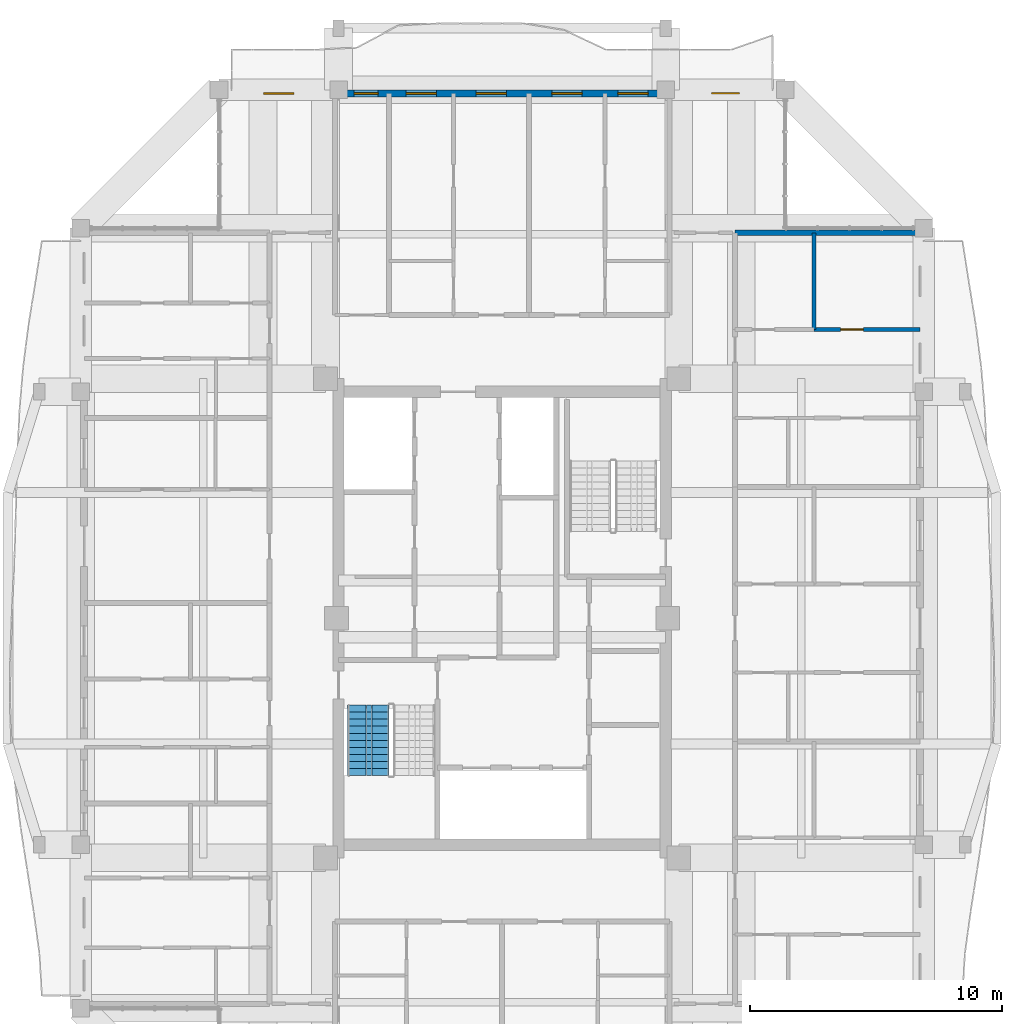
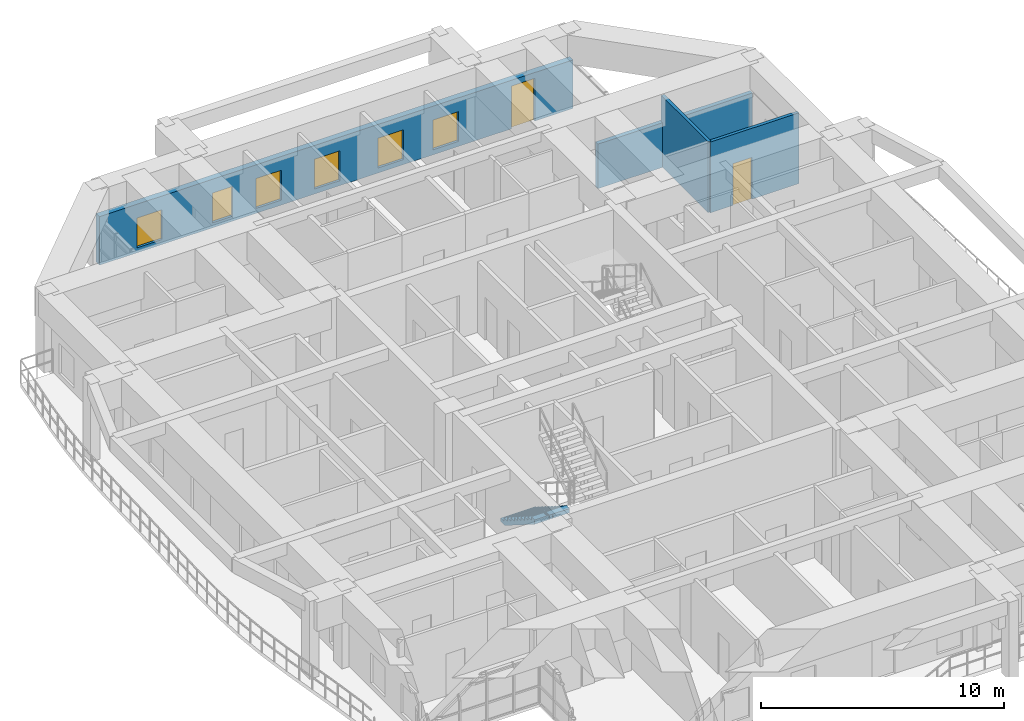
# One storey, part 21 of 27: 6 windows, 4 walls, 2 doors, 1 stair flight, 8 openings, 1 element without a shape of its own.
"""IFC4 building model written with IfcOpenShell, lengths in metres."""

from ifc_helpers import new_model, si_unit, direction, frame, frame_2d, origin, place, context, subcontext, project, spatial, polyline, rectangle, outline, extrude, source, transform, mapped, material, layer, layer_set, type_object, element, fill, aggregate, save


model = new_model("IFC4")

# Units and contexts
model_context = context("Model", 3, precision=1e-05, world=origin(), true_north=direction((0.0, 1.0)))
body_context = subcontext(model_context, "Body", "Model", "MODEL_VIEW")
ifc_project = project(units=[si_unit("LENGTHUNIT", "METRE"), si_unit("AREAUNIT", "SQUARE_METRE"), si_unit("VOLUMEUNIT", "CUBIC_METRE"), si_unit("PLANEANGLEUNIT", "RADIAN"), si_unit("MASSUNIT", "GRAM", prefix="KILO")], contexts=[model_context])

# Site, building, storey
site_placement = place(None, origin())
site = spatial("IfcSite", under=ifc_project, at=site_placement, CompositionType="ELEMENT")
building_placement = place(site_placement, origin())
building = spatial("IfcBuilding", under=site, at=building_placement, Name="Saelheon Loggia Tower", CompositionType="ELEMENT")
storey_placement = place(building_placement, frame((0.0, 0.0, 236.10009765625)))
storey = spatial("IfcBuildingStorey", under=building, at=storey_placement, Name="L73", CompositionType="ELEMENT", Elevation=236.10009765625)

# Wall, openings, windows, door
ifc_material_1 = material(Name="Architectural Precast Concrete C40/50", Category="concrete")
ifc_layer_1 = layer(ifc_material_1, 0.280029296875)
ifc_layer_set_1 = layer_set([ifc_layer_1], Name="Architectural Precast Concrete C40/50")
wall_type_1 = type_object("IfcWallType", Name="Wall_Ext_Loggia_280", PredefinedType="SOLIDWALL", material=ifc_layer_set_1)
wall_1_placement = place(storey_placement, frame((26.75, 47.860107421875, 0.0), z_axis=(0.0, 0.0, 1.0), x_axis=(1.0, 0.0, 0.0)))
wall_1 = element("IfcWall", 1, at=wall_1_placement, inside=storey, type_object=wall_type_1, Name="L73 North Loggia Inner Wall", PredefinedType="SOLIDWALL", context=body_context, shape_type="SweptSolid", body=[
    extrude(rectangle(XDim=22.5, YDim=0.280029296875, at=frame_2d((11.25, 0.0))), origin(), (0.0, 0.0, 1.0), 2.43994140625),
])
opening_1_placement = place(wall_1_placement, frame((1.77490234375, 0.0, 0.25)))
opening_1 = element("IfcOpeningElement", 2, at=opening_1_placement, cuts=wall_1, Name="Opening WN-03", PredefinedType="OPENING", context=body_context, shape_type="SweptSolid", body=[
    extrude(rectangle(XDim=1.199951171875, YDim=1.5, at=frame_2d((0.60009765625, 0.75))), frame((0.0, 0.152099609375, 0.0), z_axis=(0.0, -1.0, 0.0), x_axis=(1.0, 0.0, 0.0)), (0.0, 0.0, 1.0), 0.303955078125),
])
opening_2_placement = place(wall_1_placement, frame((5.3701171875, 0.0, 0.25)))
opening_2 = element("IfcOpeningElement", 3, at=opening_2_placement, cuts=wall_1, Name="Opening WN-04", PredefinedType="OPENING", context=body_context, shape_type="SweptSolid", body=[
    extrude(rectangle(XDim=0.949951171875, YDim=1.5, at=frame_2d((0.47509765625, 0.75))), frame((0.0, 0.152099609375, 0.0), z_axis=(0.0, -1.0, 0.0), x_axis=(1.0, 0.0, 0.0)), (0.0, 0.0, 1.0), 0.303955078125),
])
opening_3_placement = place(wall_1_placement, frame((7.432373046875, 0.0, 0.25)))
opening_3 = element("IfcOpeningElement", 4, at=opening_3_placement, cuts=wall_1, Name="Opening WN-03", PredefinedType="OPENING", context=body_context, shape_type="SweptSolid", body=[
    extrude(rectangle(XDim=1.199951171875, YDim=1.5, at=frame_2d((0.60009765625, 0.75))), frame((0.0, 0.152099609375, 0.0), z_axis=(0.0, -1.0, 0.0), x_axis=(1.0, 0.0, 0.0)), (0.0, 0.0, 1.0), 0.303955078125),
])
opening_4_placement = place(wall_1_placement, frame((10.2197265625, 0.0, 0.25)))
opening_4 = element("IfcOpeningElement", 5, at=opening_4_placement, cuts=wall_1, Name="Opening WN-03", PredefinedType="OPENING", context=body_context, shape_type="SweptSolid", body=[
    extrude(rectangle(XDim=1.199951171875, YDim=1.5, at=frame_2d((0.60009765625, 0.75))), frame((0.0, 0.152099609375, 0.0), z_axis=(0.0, -1.0, 0.0), x_axis=(1.0, 0.0, 0.0)), (0.0, 0.0, 1.0), 0.303955078125),
])
opening_5_placement = place(wall_1_placement, frame((13.230224609375, 0.0, 0.25)))
opening_5 = element("IfcOpeningElement", 6, at=opening_5_placement, cuts=wall_1, Name="Opening WN-03", PredefinedType="OPENING", context=body_context, shape_type="SweptSolid", body=[
    extrude(rectangle(XDim=1.199951171875, YDim=1.5, at=frame_2d((0.60009765625, 0.75))), frame((0.0, 0.152099609375, 0.0), z_axis=(0.0, -1.0, 0.0), x_axis=(1.0, 0.0, 0.0)), (0.0, 0.0, 1.0), 0.303955078125),
])
opening_6_placement = place(wall_1_placement, frame((15.847900390625, 0.0, 0.25)))
opening_6 = element("IfcOpeningElement", 7, at=opening_6_placement, cuts=wall_1, Name="Opening WN-03", PredefinedType="OPENING", context=body_context, shape_type="SweptSolid", body=[
    extrude(rectangle(XDim=1.199951171875, YDim=1.5, at=frame_2d((0.60009765625, 0.75))), frame((0.0, 0.152099609375, 0.0), z_axis=(0.0, -1.0, 0.0), x_axis=(1.0, 0.0, 0.0)), (0.0, 0.0, 1.0), 0.303955078125),
])
opening_7_placement = place(wall_1_placement, frame((19.574951171875, 0.0, 0.0)))
opening_7 = element("IfcOpeningElement", 8, at=opening_7_placement, cuts=wall_1, Name="Opening TD1", PredefinedType="OPENING", context=body_context, shape_type="SweptSolid", body=[
    extrude(rectangle(XDim=1.10009765625, YDim=2.14990234375, at=frame_2d((0.550048828125, 1.074951171875))), frame((0.0, 0.152099609375, 0.0), z_axis=(0.0, -1.0, 0.0), x_axis=(1.0, 0.0, 0.0)), (0.0, 0.0, 1.0), 0.303955078125),
])
ifc_material_2 = material(Name="Thermal-Break Aluminium and Triple Low-E Glass", Category="aluminium")
window_type_1 = type_object("IfcWindowType", Name="Win_Bedroom_1200x1500", PartitioningType="SINGLE_PANEL", PredefinedType="WINDOW", material=ifc_material_2)
shared_shape_1 = source(origin(), body_context, "Body", "SweptSolid", [
    extrude(rectangle(XDim=1.199951171875, YDim=1.5, at=frame_2d((0.60009765625, 0.75))), frame((0.0, 0.030029296875, 0.0), z_axis=(0.0, -1.0, 0.0), x_axis=(1.0, 0.0, 0.0)), (0.0, 0.0, 1.0), 0.06005859375),
])
window_1_placement = place(opening_1_placement, origin())
window_1 = element("IfcWindow", 9, at=window_1_placement, inside=storey, type_object=window_type_1, Name="L73 N Dwelling Window 1", OverallHeight=1.5, OverallWidth=1.199951171875, PartitioningType="SINGLE_PANEL", PredefinedType="WINDOW", context=body_context, shape_type="MappedRepresentation", body=[
    mapped(shared_shape_1, transform((0.0, 0.0, 0.0), scale=1.0)),
])
fill(opening_1, window_1)
window_2_placement = place(opening_3_placement, origin())
window_2 = element("IfcWindow", 10, at=window_2_placement, inside=storey, type_object=window_type_1, Name="L73 N Dwelling Window 3", OverallHeight=1.5, OverallWidth=1.199951171875, PartitioningType="SINGLE_PANEL", PredefinedType="WINDOW", context=body_context, shape_type="MappedRepresentation", body=[
    mapped(shared_shape_1, transform((0.0, 0.0, 0.0), scale=1.0)),
])
fill(opening_3, window_2)
window_3_placement = place(opening_4_placement, origin())
window_3 = element("IfcWindow", 11, at=window_3_placement, inside=storey, type_object=window_type_1, Name="L73 N Dwelling Window 4", OverallHeight=1.5, OverallWidth=1.199951171875, PartitioningType="SINGLE_PANEL", PredefinedType="WINDOW", context=body_context, shape_type="MappedRepresentation", body=[
    mapped(shared_shape_1, transform((0.0, 0.0, 0.0), scale=1.0)),
])
fill(opening_4, window_3)
window_4_placement = place(opening_5_placement, origin())
window_4 = element("IfcWindow", 12, at=window_4_placement, inside=storey, type_object=window_type_1, Name="L73 N Dwelling Window 5", OverallHeight=1.5, OverallWidth=1.199951171875, PartitioningType="SINGLE_PANEL", PredefinedType="WINDOW", context=body_context, shape_type="MappedRepresentation", body=[
    mapped(shared_shape_1, transform((0.0, 0.0, 0.0), scale=1.0)),
])
fill(opening_5, window_4)
window_5_placement = place(opening_6_placement, origin())
window_5 = element("IfcWindow", 13, at=window_5_placement, inside=storey, type_object=window_type_1, Name="L73 N Dwelling Window 6", OverallHeight=1.5, OverallWidth=1.199951171875, PartitioningType="SINGLE_PANEL", PredefinedType="WINDOW", context=body_context, shape_type="MappedRepresentation", body=[
    mapped(shared_shape_1, transform((0.0, 0.0, 0.0), scale=1.0)),
])
fill(opening_6, window_5)
ifc_material_3 = material(Name="Thermal-Break Aluminium Glazed Door", Category="aluminium")
door_type_1 = type_object("IfcDoorType", Name="Door_Terrace_TD1", OperationType="NOTDEFINED", PredefinedType="DOOR", material=ifc_material_3)
shared_shape_2 = source(origin(), body_context, "Body", "SweptSolid", [
    extrude(rectangle(XDim=1.10009765625, YDim=2.14990234375, at=frame_2d((0.550048828125, 1.074951171875))), frame((0.0, 0.02490234375, 0.0), z_axis=(0.0, -1.0, 0.0), x_axis=(1.0, 0.0, 0.0)), (0.0, 0.0, 1.0), 0.050048828125),
])
door_1_placement = place(opening_7_placement, origin())
door_1 = element("IfcDoor", 14, at=door_1_placement, inside=storey, type_object=door_type_1, Name="L73 N Loggia Access Door", OperationType="SINGLE_SWING_LEFT", OverallHeight=2.14990234375, OverallWidth=1.10009765625, PredefinedType="DOOR", context=body_context, shape_type="MappedRepresentation", body=[
    mapped(shared_shape_2, transform((0.0, 0.0, 0.0), scale=1.0)),
])
fill(opening_7, door_1)
window_type_2 = type_object("IfcWindowType", Name="Win_Narrow_950x1500", PartitioningType="SINGLE_PANEL", PredefinedType="WINDOW", material=ifc_material_2)
shared_shape_3 = source(origin(), body_context, "Body", "SweptSolid", [
    extrude(rectangle(XDim=0.949951171875, YDim=1.5, at=frame_2d((0.47509765625, 0.75))), frame((0.0, 0.030029296875, 0.0), z_axis=(0.0, -1.0, 0.0), x_axis=(1.0, 0.0, 0.0)), (0.0, 0.0, 1.0), 0.06005859375),
])
window_6_placement = place(opening_2_placement, origin())
window_6 = element("IfcWindow", 15, at=window_6_placement, inside=storey, type_object=window_type_2, Name="L73 N Dwelling Window 2", OverallHeight=1.5, OverallWidth=0.949951171875, PartitioningType="SINGLE_PANEL", PredefinedType="WINDOW", context=body_context, shape_type="MappedRepresentation", body=[
    mapped(shared_shape_3, transform((0.0, 0.0, 0.0), scale=1.0)),
])
fill(opening_2, window_6)

# Wall
ifc_material_4 = material(Name="Lightweight Autoclaved Aerated Concrete Block and Acoustic Gypsum", Category="concrete")
ifc_layer_2 = layer(ifc_material_4, 0.14990234375)
ifc_layer_set_2 = layer_set([ifc_layer_2], Name="Lightweight Autoclaved Aerated Concrete Block and Acoustic Gypsum")
wall_type_2 = type_object("IfcWallType", Name="Wall_Part_150", PredefinedType="PARTITIONING", material=ifc_layer_set_2)
wall_2_placement = place(storey_placement, frame((50.389892578125, 38.477783203125, 0.0), z_axis=(0.0, 0.0, 1.0), x_axis=(0.0, 1.0, 0.0)))
element("IfcWall", 16, at=wall_2_placement, inside=storey, type_object=wall_type_2, Name="L73 E Partition V29", PredefinedType="PARTITIONING", context=body_context, shape_type="SweptSolid", body=[
    extrude(rectangle(XDim=3.84228515625, YDim=0.14990234375, at=frame_2d((1.921142578125, 0.0))), origin(), (0.0, 0.0, 1.0), 3.559814453125),
])

# Wall, opening, door
wall_3_placement = place(storey_placement, frame((50.389892578125, 38.477783203125, 0.0), z_axis=(0.0, 0.0, 1.0), x_axis=(1.0, 0.0, 0.0)))
wall_3 = element("IfcWall", 17, at=wall_3_placement, inside=storey, type_object=wall_type_2, Name="L73 E Partition U34", PredefinedType="PARTITIONING", context=body_context, shape_type="SweptSolid", body=[
    extrude(rectangle(XDim=4.210205078125, YDim=0.14990234375, at=frame_2d((2.10498046875, 0.0))), origin(), (0.0, 0.0, 1.0), 3.559814453125),
])
opening_8_placement = place(wall_3_placement, frame((1.0654296875, 0.0, 0.0)))
opening_8 = element("IfcOpeningElement", 18, at=opening_8_placement, cuts=wall_3, Name="Opening D-IN2", PredefinedType="OPENING", context=body_context, shape_type="SweptSolid", body=[
    extrude(rectangle(XDim=0.89990234375, YDim=2.10009765625, at=frame_2d((0.449951171875, 1.050048828125))), frame((0.0, 0.0869140625, 0.0), z_axis=(0.0, -1.0, 0.0), x_axis=(1.0, 0.0, 0.0)), (0.0, 0.0, 1.0), 0.173828125),
])
ifc_material_5 = material(Name="Engineered Oak Flush Door", Category="timber")
door_type_2 = type_object("IfcDoorType", Name="Door_Int_900", OperationType="NOTDEFINED", PredefinedType="DOOR", material=ifc_material_5)
shared_shape_4 = source(origin(), body_context, "Body", "SweptSolid", [
    extrude(rectangle(XDim=0.89990234375, YDim=2.10009765625, at=frame_2d((0.449951171875, 1.050048828125))), frame((0.0, 0.02490234375, 0.0), z_axis=(0.0, -1.0, 0.0), x_axis=(1.0, 0.0, 0.0)), (0.0, 0.0, 1.0), 0.050048828125),
])
door_2_placement = place(opening_8_placement, origin())
door_2 = element("IfcDoor", 19, at=door_2_placement, inside=storey, type_object=door_type_2, Name="Unit U11 Bedroom 1 Door", OperationType="SINGLE_SWING_RIGHT", OverallHeight=2.10009765625, OverallWidth=0.89990234375, PredefinedType="DOOR", context=body_context, shape_type="MappedRepresentation", body=[
    mapped(shared_shape_4, transform((0.0, 0.0, 0.0), scale=1.0)),
])
fill(opening_8, door_2)

# Wall
ifc_material_6 = material(Name="Double Acoustic Stud and Fireboard Partition", Category="gypsum")
ifc_layer_3 = layer(ifc_material_6, 0.199951171875)
ifc_layer_set_3 = layer_set([ifc_layer_3], Name="Double Acoustic Stud and Fireboard Partition")
wall_type_3 = type_object("IfcWallType", Name="Wall_Party_200", PredefinedType="PARTITIONING", material=ifc_layer_set_3)
wall_4_placement = place(storey_placement, frame((47.25, 42.320068359375, 0.0), z_axis=(0.0, 0.0, 1.0), x_axis=(1.0, 0.0, 0.0)))
element("IfcWall", 20, at=wall_4_placement, inside=storey, type_object=wall_type_3, Name="L73 E Partition U02", PredefinedType="PARTITIONING", context=body_context, shape_type="SweptSolid", body=[
    extrude(rectangle(XDim=7.35009765625, YDim=0.199951171875, at=frame_2d((3.675048828125, 0.0))), origin(), (0.0, 0.0, 1.0), 2.239990234375),
])

# Stair, stair flight
ifc_material_7 = material(Name="Concrete C40/50", Category="concrete")
stair_type = type_object("IfcStairType", Name="Stair_Escape_Core", PredefinedType="HALF_TURN_STAIR", material=ifc_material_7)
stair_placement = place(storey_placement, origin())
stair = element("IfcStair", 21, at=stair_placement, inside=storey, type_object=stair_type, Name="L73 Special Escape Stair ST1", PredefinedType="HALF_TURN_STAIR")
stair_flight_type = type_object("IfcStairFlightType", Name="StairFlight_Tower_1660", PredefinedType="STRAIGHT", material=ifc_material_7)
stair_flight_placement = place(storey_placement, frame((32.679931640625, 23.550048828125, 0.0), z_axis=(0.0, 0.0, 1.0), x_axis=(0.0, -1.0, 0.0)))
stair_flight = element("IfcStairFlight", 22, at=stair_flight_placement, type_object=stair_flight_type, Name="ST1 flight 1", NumberOfRisers=11, NumberOfTreads=10, PredefinedType="STRAIGHT", RiserHeight=0.177272727, TreadLength=0.28, context=body_context, shape_type="SweptSolid", body=[
    extrude(outline(polyline([(0.0, 0.0), (0.0, 0.17724609375), (0.280029296875, 0.17724609375), (0.280029296875, 0.3544921875), (0.56005859375, 0.3544921875), (0.56005859375, 0.53173828125), (0.840087890625, 0.53173828125), (0.840087890625, 0.708984375), (1.1201171875, 0.708984375), (1.1201171875, 0.886474609375), (1.39990234375, 0.886474609375), (1.39990234375, 1.063720703125), (1.679931640625, 1.063720703125), (1.679931640625, 1.240966796875), (1.9599609375, 1.240966796875), (1.9599609375, 1.418212890625), (2.239990234375, 1.418212890625), (2.239990234375, 1.595458984375), (2.52001953125, 1.595458984375), (2.52001953125, 1.772705078125), (2.800048828125, 1.772705078125), (2.800048828125, 1.949951171875), (2.800048828125, 1.559814453125), (0.33642578125, 0.0), (0.0, 0.0)])), frame((0.0, -0.2490234375, 0.0), z_axis=(0.0, -1.0, 0.0), x_axis=(1.0, 0.0, 0.0)), (0.0, 0.0, 1.0), 0.5810546875),
    extrude(outline(polyline([(0.0, 0.0), (0.0, 0.17724609375), (0.280029296875, 0.17724609375), (0.280029296875, 0.3544921875), (0.56005859375, 0.3544921875), (0.56005859375, 0.53173828125), (0.840087890625, 0.53173828125), (0.840087890625, 0.708984375), (1.1201171875, 0.708984375), (1.1201171875, 0.886474609375), (1.39990234375, 0.886474609375), (1.39990234375, 1.063720703125), (1.679931640625, 1.063720703125), (1.679931640625, 1.240966796875), (1.9599609375, 1.240966796875), (1.9599609375, 1.418212890625), (2.239990234375, 1.418212890625), (2.239990234375, 1.595458984375), (2.52001953125, 1.595458984375), (2.52001953125, 1.772705078125), (2.800048828125, 1.772705078125), (2.800048828125, 1.949951171875), (2.800048828125, 1.559814453125), (0.33642578125, 0.0), (0.0, 0.0)])), frame((0.0, -0.194091796875, 0.0), z_axis=(0.0, -1.0, 0.0), x_axis=(1.0, 0.0, 0.0)), (0.0, 0.0, 1.0), 0.0498046875),
    extrude(outline(polyline([(0.0, 0.0), (0.0, 0.17724609375), (0.280029296875, 0.17724609375), (0.280029296875, 0.3544921875), (0.56005859375, 0.3544921875), (0.56005859375, 0.53173828125), (0.840087890625, 0.53173828125), (0.840087890625, 0.708984375), (1.1201171875, 0.708984375), (1.1201171875, 0.886474609375), (1.39990234375, 0.886474609375), (1.39990234375, 1.063720703125), (1.679931640625, 1.063720703125), (1.679931640625, 1.240966796875), (1.9599609375, 1.240966796875), (1.9599609375, 1.418212890625), (2.239990234375, 1.418212890625), (2.239990234375, 1.595458984375), (2.52001953125, 1.595458984375), (2.52001953125, 1.772705078125), (2.800048828125, 1.772705078125), (2.800048828125, 1.949951171875), (2.800048828125, 1.559814453125), (0.33642578125, 0.0), (0.0, 0.0)])), frame((0.0, -0.139404296875, 0.0), z_axis=(0.0, -1.0, 0.0), x_axis=(1.0, 0.0, 0.0)), (0.0, 0.0, 1.0), 0.0498046875),
    extrude(outline(polyline([(0.0, 0.0), (0.0, 0.17724609375), (0.280029296875, 0.17724609375), (0.280029296875, 0.3544921875), (0.56005859375, 0.3544921875), (0.56005859375, 0.53173828125), (0.840087890625, 0.53173828125), (0.840087890625, 0.708984375), (1.1201171875, 0.708984375), (1.1201171875, 0.886474609375), (1.39990234375, 0.886474609375), (1.39990234375, 1.063720703125), (1.679931640625, 1.063720703125), (1.679931640625, 1.240966796875), (1.9599609375, 1.240966796875), (1.9599609375, 1.418212890625), (2.239990234375, 1.418212890625), (2.239990234375, 1.595458984375), (2.52001953125, 1.595458984375), (2.52001953125, 1.772705078125), (2.800048828125, 1.772705078125), (2.800048828125, 1.949951171875), (2.800048828125, 1.559814453125), (0.33642578125, 0.0), (0.0, 0.0)])), frame((0.0, -0.084716796875, 0.0), z_axis=(0.0, -1.0, 0.0), x_axis=(1.0, 0.0, 0.0)), (0.0, 0.0, 1.0), 0.0498046875),
    extrude(outline(polyline([(0.0, 0.0), (0.0, 0.17724609375), (0.280029296875, 0.17724609375), (0.280029296875, 0.3544921875), (0.56005859375, 0.3544921875), (0.56005859375, 0.53173828125), (0.840087890625, 0.53173828125), (0.840087890625, 0.708984375), (1.1201171875, 0.708984375), (1.1201171875, 0.886474609375), (1.39990234375, 0.886474609375), (1.39990234375, 1.063720703125), (1.679931640625, 1.063720703125), (1.679931640625, 1.240966796875), (1.9599609375, 1.240966796875), (1.9599609375, 1.418212890625), (2.239990234375, 1.418212890625), (2.239990234375, 1.595458984375), (2.52001953125, 1.595458984375), (2.52001953125, 1.772705078125), (2.800048828125, 1.772705078125), (2.800048828125, 1.949951171875), (2.800048828125, 1.559814453125), (0.33642578125, 0.0), (0.0, 0.0)])), frame((0.0, -0.02978515625, 0.0), z_axis=(0.0, -1.0, 0.0), x_axis=(1.0, 0.0, 0.0)), (0.0, 0.0, 1.0), 0.0498046875),
    extrude(outline(polyline([(0.0, 0.0), (0.0, 0.17724609375), (0.280029296875, 0.17724609375), (0.280029296875, 0.3544921875), (0.56005859375, 0.3544921875), (0.56005859375, 0.53173828125), (0.840087890625, 0.53173828125), (0.840087890625, 0.708984375), (1.1201171875, 0.708984375), (1.1201171875, 0.886474609375), (1.39990234375, 0.886474609375), (1.39990234375, 1.063720703125), (1.679931640625, 1.063720703125), (1.679931640625, 1.240966796875), (1.9599609375, 1.240966796875), (1.9599609375, 1.418212890625), (2.239990234375, 1.418212890625), (2.239990234375, 1.595458984375), (2.52001953125, 1.595458984375), (2.52001953125, 1.772705078125), (2.800048828125, 1.772705078125), (2.800048828125, 1.949951171875), (2.800048828125, 1.559814453125), (0.33642578125, 0.0), (0.0, 0.0)])), frame((0.0, 0.02490234375, 0.0), z_axis=(0.0, -1.0, 0.0), x_axis=(1.0, 0.0, 0.0)), (0.0, 0.0, 1.0), 0.0498046875),
    extrude(outline(polyline([(0.0, 0.0), (0.0, 0.17724609375), (0.280029296875, 0.17724609375), (0.280029296875, 0.3544921875), (0.56005859375, 0.3544921875), (0.56005859375, 0.53173828125), (0.840087890625, 0.53173828125), (0.840087890625, 0.708984375), (1.1201171875, 0.708984375), (1.1201171875, 0.886474609375), (1.39990234375, 0.886474609375), (1.39990234375, 1.063720703125), (1.679931640625, 1.063720703125), (1.679931640625, 1.240966796875), (1.9599609375, 1.240966796875), (1.9599609375, 1.418212890625), (2.239990234375, 1.418212890625), (2.239990234375, 1.595458984375), (2.52001953125, 1.595458984375), (2.52001953125, 1.772705078125), (2.800048828125, 1.772705078125), (2.800048828125, 1.949951171875), (2.800048828125, 1.559814453125), (0.33642578125, 0.0), (0.0, 0.0)])), frame((0.0, 0.07958984375, 0.0), z_axis=(0.0, -1.0, 0.0), x_axis=(1.0, 0.0, 0.0)), (0.0, 0.0, 1.0), 0.0498046875),
    extrude(outline(polyline([(0.0, 0.0), (0.0, 0.17724609375), (0.280029296875, 0.17724609375), (0.280029296875, 0.3544921875), (0.56005859375, 0.3544921875), (0.56005859375, 0.53173828125), (0.840087890625, 0.53173828125), (0.840087890625, 0.708984375), (1.1201171875, 0.708984375), (1.1201171875, 0.886474609375), (1.39990234375, 0.886474609375), (1.39990234375, 1.063720703125), (1.679931640625, 1.063720703125), (1.679931640625, 1.240966796875), (1.9599609375, 1.240966796875), (1.9599609375, 1.418212890625), (2.239990234375, 1.418212890625), (2.239990234375, 1.595458984375), (2.52001953125, 1.595458984375), (2.52001953125, 1.772705078125), (2.800048828125, 1.772705078125), (2.800048828125, 1.949951171875), (2.800048828125, 1.559814453125), (0.33642578125, 0.0), (0.0, 0.0)])), frame((0.0, 0.134521484375, 0.0), z_axis=(0.0, -1.0, 0.0), x_axis=(1.0, 0.0, 0.0)), (0.0, 0.0, 1.0), 0.0498046875),
    extrude(outline(polyline([(0.0, 0.0), (0.0, 0.17724609375), (0.280029296875, 0.17724609375), (0.280029296875, 0.3544921875), (0.56005859375, 0.3544921875), (0.56005859375, 0.53173828125), (0.840087890625, 0.53173828125), (0.840087890625, 0.708984375), (1.1201171875, 0.708984375), (1.1201171875, 0.886474609375), (1.39990234375, 0.886474609375), (1.39990234375, 1.063720703125), (1.679931640625, 1.063720703125), (1.679931640625, 1.240966796875), (1.9599609375, 1.240966796875), (1.9599609375, 1.418212890625), (2.239990234375, 1.418212890625), (2.239990234375, 1.595458984375), (2.52001953125, 1.595458984375), (2.52001953125, 1.772705078125), (2.800048828125, 1.772705078125), (2.800048828125, 1.949951171875), (2.800048828125, 1.559814453125), (0.33642578125, 0.0), (0.0, 0.0)])), frame((0.0, 0.189208984375, 0.0), z_axis=(0.0, -1.0, 0.0), x_axis=(1.0, 0.0, 0.0)), (0.0, 0.0, 1.0), 0.0498046875),
    extrude(outline(polyline([(0.0, 0.0), (0.0, 0.17724609375), (0.280029296875, 0.17724609375), (0.280029296875, 0.3544921875), (0.56005859375, 0.3544921875), (0.56005859375, 0.53173828125), (0.840087890625, 0.53173828125), (0.840087890625, 0.708984375), (1.1201171875, 0.708984375), (1.1201171875, 0.886474609375), (1.39990234375, 0.886474609375), (1.39990234375, 1.063720703125), (1.679931640625, 1.063720703125), (1.679931640625, 1.240966796875), (1.9599609375, 1.240966796875), (1.9599609375, 1.418212890625), (2.239990234375, 1.418212890625), (2.239990234375, 1.595458984375), (2.52001953125, 1.595458984375), (2.52001953125, 1.772705078125), (2.800048828125, 1.772705078125), (2.800048828125, 1.949951171875), (2.800048828125, 1.559814453125), (0.33642578125, 0.0), (0.0, 0.0)])), frame((0.0, 0.243896484375, 0.0), z_axis=(0.0, -1.0, 0.0), x_axis=(1.0, 0.0, 0.0)), (0.0, 0.0, 1.0), 0.0498046875),
    extrude(outline(polyline([(0.0, 0.0), (0.0, 0.17724609375), (0.280029296875, 0.17724609375), (0.280029296875, 0.3544921875), (0.56005859375, 0.3544921875), (0.56005859375, 0.53173828125), (0.840087890625, 0.53173828125), (0.840087890625, 0.708984375), (1.1201171875, 0.708984375), (1.1201171875, 0.886474609375), (1.39990234375, 0.886474609375), (1.39990234375, 1.063720703125), (1.679931640625, 1.063720703125), (1.679931640625, 1.240966796875), (1.9599609375, 1.240966796875), (1.9599609375, 1.418212890625), (2.239990234375, 1.418212890625), (2.239990234375, 1.595458984375), (2.52001953125, 1.595458984375), (2.52001953125, 1.772705078125), (2.800048828125, 1.772705078125), (2.800048828125, 1.949951171875), (2.800048828125, 1.559814453125), (0.33642578125, 0.0), (0.0, 0.0)])), frame((0.0, 0.830078125, 0.0), z_axis=(0.0, -1.0, 0.0), x_axis=(1.0, 0.0, 0.0)), (0.0, 0.0, 1.0), 0.5810546875),
])
aggregate(stair, [stair_flight])

save(model, "model.ifc")
